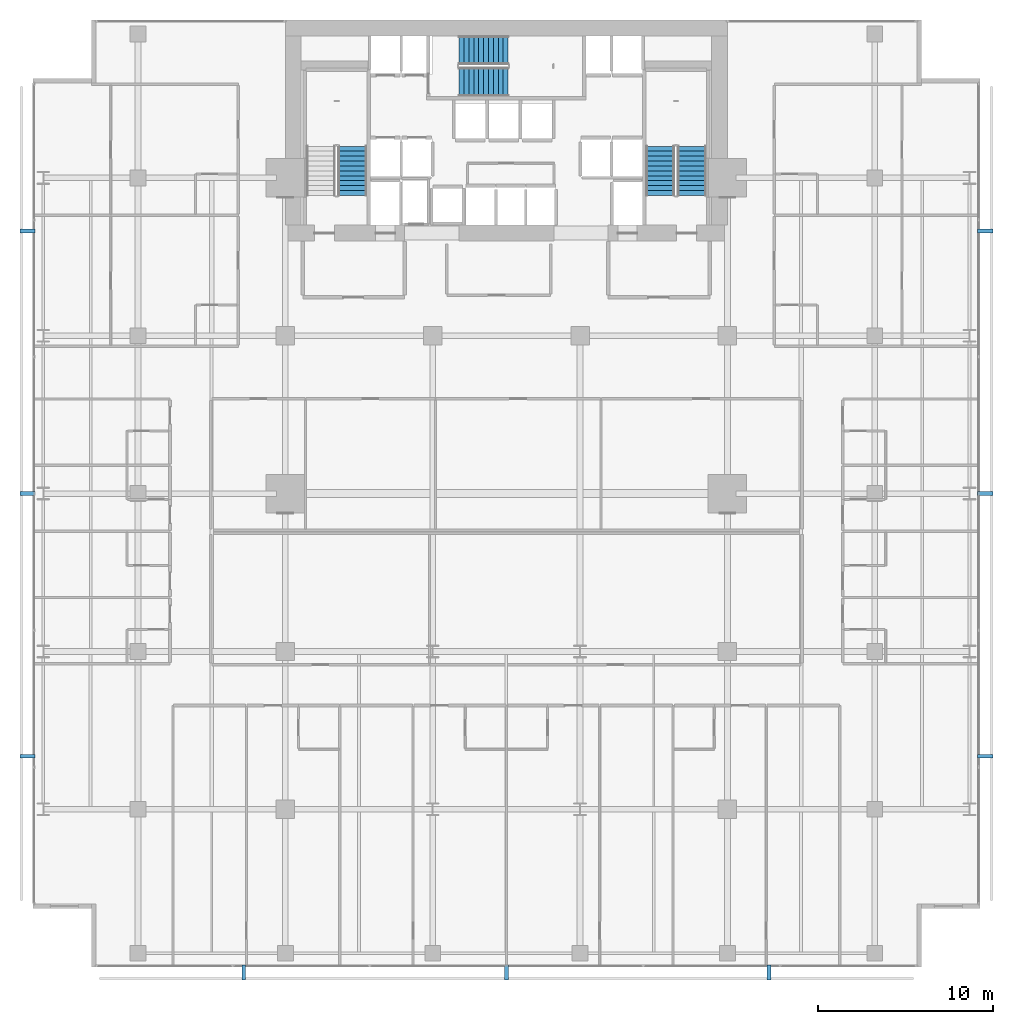
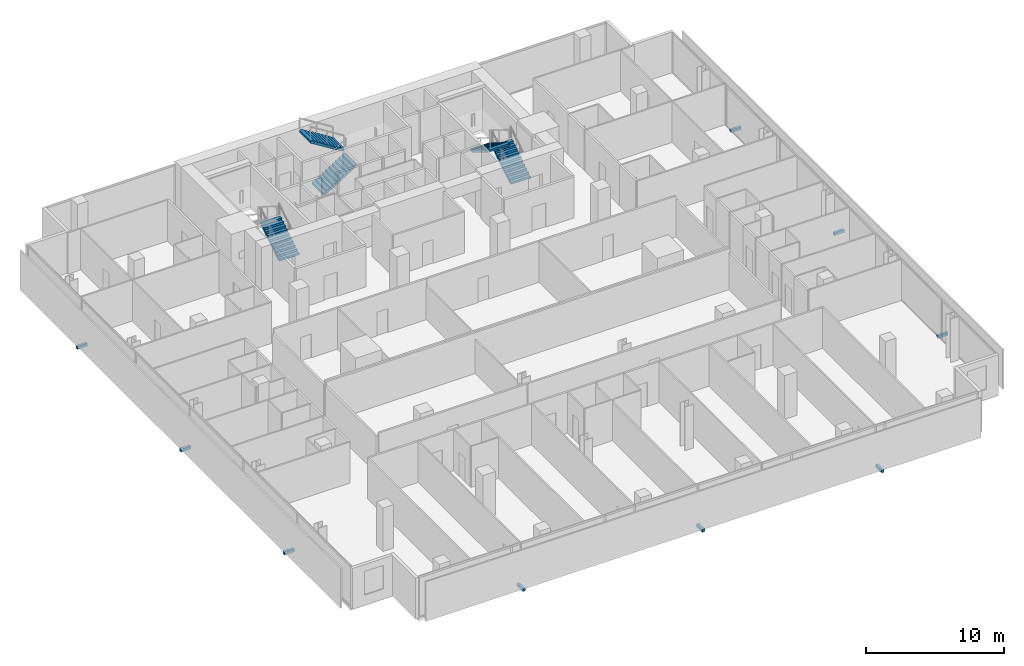
# One storey, part 38 of 40: 9 discrete accessories, 5 stair flights, 3 elements without a shape of their own.
"""IFC4 building model written with IfcOpenShell, lengths in metres."""

import ifcopenshell
import ifcopenshell.guid

model = None  # the IFC model being written
_history = None  # IfcOwnerHistory: only IFC2X3 demands one
_inside = {}  # id of a spatial element -> (the spatial element, [elements in it])
_under = {}  # id of a project, library or spatial element -> (it, [spatial elements below it])
_declared = {}  # id of a project -> (the project, [libraries it declares])
_typed = {}  # id of a type object -> (the type object, [elements of that type])
_made_of = {}  # id of a material, layer set ... -> (it, [elements and type objects made of it])


def new_model(schema):
    """Start an empty IFC model of exactly this schema.

    Asked for "IFC4X3", IfcOpenShell would pick the latest addendum, in which some entities
    have other attributes; the version numbers below select the first issue.
    IFC2X3 requires an IfcOwnerHistory on every rooted entity: one is made here for all.
    """
    global model, _history
    if schema == "IFC4X3":
        model = ifcopenshell.file(schema_version=(4, 3, 0, 0))
    else:
        model = ifcopenshell.file(schema=schema)
    _inside.clear()
    _under.clear()
    _declared.clear()
    _typed.clear()
    _made_of.clear()
    _history = None
    if model.schema == "IFC2X3":
        org = make("IfcOrganization", Name="unknown")
        user = make(
            "IfcPersonAndOrganization",
            ThePerson=make("IfcPerson", FamilyName="unknown"),
            TheOrganization=org,
        )
        app = make(
            "IfcApplication",
            ApplicationDeveloper=org,
            Version="unknown",
            ApplicationFullName="unknown",
            ApplicationIdentifier="unknown",
        )
        _history = make(
            "IfcOwnerHistory",
            OwningUser=user,
            OwningApplication=app,
            ChangeAction="ADDED",
            CreationDate=0,
        )
    return model


def make(cls, **values):
    """One entity of the class cls with the attributes given. An attribute that is None is left unset."""
    return model.create_entity(
        cls, **{name: value for name, value in values.items() if value is not None}
    )


def rooted(cls, **values):
    """An entity with a GlobalId (a new one), such as an element, a storey or a relation."""
    return make(cls, GlobalId=ifcopenshell.guid.new(), OwnerHistory=_history, **values)


def si_unit(unit_type, name, prefix=None):
    """IfcSIUnit, for example si_unit("LENGTHUNIT", "METRE", prefix="MILLI")."""
    return make("IfcSIUnit", UnitType=unit_type, Prefix=prefix, Name=name)


def assignment(units):
    """IfcUnitAssignment: the units of a project."""
    return None if units is None else make("IfcUnitAssignment", Units=units)


def point(xyz):
    """IfcCartesianPoint."""
    return None if xyz is None else make("IfcCartesianPoint", Coordinates=xyz)


def direction(xyz):
    """IfcDirection."""
    return None if xyz is None else make("IfcDirection", DirectionRatios=xyz)


def frame(location, z_axis=None, x_axis=None):
    """IfcAxis2Placement3D, a coordinate frame: its origin and axes. An axis left out is left unset."""
    return make(
        "IfcAxis2Placement3D",
        Location=point(location),
        Axis=direction(z_axis),
        RefDirection=direction(x_axis),
    )


def frame_2d(location, x_axis=None):
    """IfcAxis2Placement2D, a coordinate frame in the plane: its origin and x axis."""
    return make(
        "IfcAxis2Placement2D", Location=point(location), RefDirection=direction(x_axis)
    )


def origin():
    """The frame at (0, 0, 0) with its axes left unset."""
    return frame((0.0, 0.0, 0.0))


def origin_2d():
    """The frame at (0, 0) in the plane with its x axis left unset."""
    return frame_2d((0.0, 0.0))


def place(relative_to, where):
    """IfcLocalPlacement: puts the frame where relative to a parent placement (None: the world)."""
    return make(
        "IfcLocalPlacement", PlacementRelTo=relative_to, RelativePlacement=where
    )


def context(
    kind, dimensions, precision=None, world=None, true_north=None, identifier=None
):
    """IfcGeometricRepresentationContext, for example the 3D "Model" context."""
    return make(
        "IfcGeometricRepresentationContext",
        ContextIdentifier=identifier,
        ContextType=kind,
        CoordinateSpaceDimension=dimensions,
        Precision=precision,
        WorldCoordinateSystem=world,
        TrueNorth=true_north,
    )


def subcontext(parent, identifier, kind, view, scale=None):
    """IfcGeometricRepresentationSubContext, for example "Body" below "Model"."""
    return make(
        "IfcGeometricRepresentationSubContext",
        ContextIdentifier=identifier,
        ContextType=kind,
        ParentContext=parent,
        TargetScale=scale,
        TargetView=view,
    )


def project(units=None, contexts=None):
    """IfcProject with its units and contexts."""
    return rooted(
        "IfcProject",
        Name="project",
        RepresentationContexts=contexts,
        UnitsInContext=assignment(units),
    )


def spatial(cls, under=None, at=None, **own):
    """A site, building, storey or space (cls), placed at a placement, below another one or the project."""
    s = rooted(cls, ObjectPlacement=at, **own)
    if under is not None:
        _under.setdefault(under.id(), (under, []))[1].append(s)
    return s


def polyline(points):
    """IfcPolyline through the points."""
    return make("IfcPolyline", Points=[point(p) for p in points])


def profile(cls, at=None, kind="AREA", **sizes):
    """A parametric profile (cls). Its sizes go by their IFC names, for example OverallWidth=200.0."""
    return make(cls, ProfileType=kind, Position=at, **sizes)


def rectangle(**sizes):
    """IfcRectangleProfileDef."""
    return profile("IfcRectangleProfileDef", **sizes)


def outline(outer, holes=None, kind="AREA"):
    """IfcArbitraryClosedProfileDef: a profile drawn as a closed curve; with holes, ...WithVoids."""
    if holes is None:
        return make("IfcArbitraryClosedProfileDef", ProfileType=kind, OuterCurve=outer)
    return make(
        "IfcArbitraryProfileDefWithVoids",
        ProfileType=kind,
        OuterCurve=outer,
        InnerCurves=holes,
    )


def extrude(swept, where, along, depth):
    """IfcExtrudedAreaSolid: the profile swept, set in the frame where, extruded along a direction by depth."""
    return make(
        "IfcExtrudedAreaSolid",
        SweptArea=swept,
        Position=where,
        ExtrudedDirection=direction(along),
        Depth=depth,
    )


def shape(context_of_items, identifier, shape_type, items):
    """IfcShapeRepresentation: the items that make up one representation, for example the "Body"."""
    return make(
        "IfcShapeRepresentation",
        ContextOfItems=context_of_items,
        RepresentationIdentifier=identifier,
        RepresentationType=shape_type,
        Items=items,
    )


def material(Name=None, Category=None):
    """IfcMaterial."""
    return make("IfcMaterial", Name=Name, Category=Category)


def made_of(thing, what):
    """Note that an element or type object is made of a material, layer set ...; save() writes the relation."""
    if what is not None:
        _made_of.setdefault(what.id(), (what, []))[1].append(thing)
    return thing


def type_object(cls, material=None, **own):
    """A type object (cls), such as IfcWallType, which elements share."""
    return made_of(rooted(cls, **own), material)


def element(
    cls,
    number,
    at=None,
    inside=None,
    cuts=None,
    type_object=None,
    material=None,
    context=None,
    identifier="Body",
    shape_type=None,
    held_by="IfcProductDefinitionShape",
    body=None,
    shapes=None,
    **own,
):
    """One element of the class cls, such as IfcWall. Its Tag is "e" and its number.

    at: its placement. inside: the storey or other place that contains it. cuts: it is an
    opening in that element (IfcRelVoidsElement). A single representation is given by context,
    identifier, shape_type and body (its items); several are given by shapes. held_by: the class
    of the entity that holds the representations. save() writes the other relations.
    """
    e = rooted(cls, Tag="e%d" % number, ObjectPlacement=at, **own)
    if body is not None:
        shapes = [shape(context, identifier, shape_type, body)]
    if shapes is not None:
        e.Representation = make(held_by, Representations=shapes)
    if inside is not None:
        _inside.setdefault(inside.id(), (inside, []))[1].append(e)
    if cuts is not None:
        rooted(
            "IfcRelVoidsElement", RelatingBuildingElement=cuts, RelatedOpeningElement=e
        )
    if type_object is not None:
        _typed.setdefault(type_object.id(), (type_object, []))[1].append(e)
    return made_of(e, material)


def aggregate(whole, parts):
    """IfcRelAggregates: a whole, such as a stair, and the parts it consists of."""
    return rooted("IfcRelAggregates", RelatingObject=whole, RelatedObjects=parts)


def save(model, path):
    """Write the relations noted so far, then the file.

    IfcRelAggregates (storeys below a building ...), IfcRelContainedInSpatialStructure (elements
    in a storey), IfcRelDefinesByType, IfcRelAssociatesMaterial and IfcRelDeclares: one each for
    every whole, place, type object, material and project.
    """
    for whole, parts in _under.values():
        aggregate(whole, parts)
    for where, things in _inside.values():
        rooted(
            "IfcRelContainedInSpatialStructure",
            RelatedElements=things,
            RelatingStructure=where,
        )
    for kind, things in _typed.values():
        rooted("IfcRelDefinesByType", RelatedObjects=things, RelatingType=kind)
    for what, things in _made_of.values():
        rooted("IfcRelAssociatesMaterial", RelatedObjects=things, RelatingMaterial=what)
    for by, libraries in _declared.values():
        rooted("IfcRelDeclares", RelatingContext=by, RelatedDefinitions=libraries)
    model.write(path)


model = new_model("IFC4")

# Units and contexts
model_context = context("Model", 3, precision=1e-05, world=origin(), true_north=direction((0.0, 1.0)))
body_context = subcontext(model_context, "Body", "Model", "MODEL_VIEW")
ifc_project = project(units=[si_unit("LENGTHUNIT", "METRE"), si_unit("AREAUNIT", "SQUARE_METRE"), si_unit("VOLUMEUNIT", "CUBIC_METRE"), si_unit("PLANEANGLEUNIT", "RADIAN"), si_unit("MASSUNIT", "GRAM", prefix="KILO")], contexts=[model_context])

# Site, building, storey
site_placement = place(None, origin())
site = spatial("IfcSite", under=ifc_project, at=site_placement, CompositionType="ELEMENT")
building_placement = place(site_placement, origin())
building = spatial("IfcBuilding", under=site, at=building_placement, Name="Maruvema Waterfront Hotel and Observation Tower", CompositionType="ELEMENT")
storey_placement = place(building_placement, frame((0.0, 0.0, 100.10009765625)))
storey = spatial("IfcBuildingStorey", under=building, at=storey_placement, Name="L24", CompositionType="ELEMENT", Elevation=100.10009765625)

# Stair, stair flight
ifc_material_1 = material(Name="Concrete C50/60", Category="concrete")
stair_type = type_object("IfcStairType", Name="Dogleg Exit Stair 1650 mm (22R x 175.0 mm)", PredefinedType="HALF_TURN_STAIR", material=ifc_material_1)
stair_1_placement = place(storey_placement, origin())
stair_1 = element("IfcStair", 1, at=stair_1_placement, inside=storey, type_object=stair_type, Name="L24 ST-01", PredefinedType="HALF_TURN_STAIR")
ifc_material_2 = material(Name="Concrete C50/60", Category="concrete")
stair_flight_type = type_object("IfcStairFlightType", Name="Reinforced Concrete Stair Flight 1650 mm (11R x 175.0 mm)", PredefinedType="STRAIGHT", material=ifc_material_2)
stair_flight_1_placement = place(storey_placement, frame((29.02490234375, 44.0, 0.0), z_axis=(0.0, 0.0, 1.0), x_axis=(0.0, 1.0, 0.0)))
stair_flight_1 = element("IfcStairFlight", 2, at=stair_flight_1_placement, type_object=stair_flight_type, Name="ST-01 flight 1", NumberOfRisers=11, NumberOfTreads=10, PredefinedType="STRAIGHT", RiserHeight=0.175, TreadLength=0.28, context=body_context, shape_type="SweptSolid", body=[
    extrude(outline(polyline([(0.0, 0.0), (0.0, 0.175048828125), (0.280029296875, 0.175048828125), (0.280029296875, 0.35009765625), (0.56005859375, 0.35009765625), (0.56005859375, 0.52490234375), (0.840087890625, 0.52490234375), (0.840087890625, 0.699951171875), (1.1201171875, 0.699951171875), (1.1201171875, 0.875), (1.39990234375, 0.875), (1.39990234375, 1.050048828125), (1.679931640625, 1.050048828125), (1.679931640625, 1.22509765625), (1.9599609375, 1.22509765625), (1.9599609375, 1.39990234375), (2.239990234375, 1.39990234375), (2.239990234375, 1.574951171875), (2.52001953125, 1.574951171875), (2.52001953125, 1.75), (2.800048828125, 1.75), (2.800048828125, 1.925048828125), (2.800048828125, 1.5732421875), (0.28271484375, 0.0), (0.0, 0.0)])), frame((0.0, 0.824951171875, 0.0), z_axis=(0.0, -1.0, 0.0), x_axis=(1.0, 0.0, 0.0)), (0.0, 0.0, 1.0), 1.64990234375),
])
aggregate(stair_1, [stair_flight_1])

# Stair, stair flights
stair_2_placement = place(storey_placement, origin())
stair_2 = element("IfcStair", 3, at=stair_2_placement, inside=storey, type_object=stair_type, Name="L24 ST-02", PredefinedType="HALF_TURN_STAIR")
stair_flight_2_placement = place(storey_placement, frame((35.10009765625, 50.47509765625, 0.0), z_axis=(0.0, 0.0, 1.0), x_axis=(1.0, 0.0, 0.0)))
stair_flight_2 = element("IfcStairFlight", 4, at=stair_flight_2_placement, type_object=stair_flight_type, Name="ST-02 flight 1", NumberOfRisers=11, NumberOfTreads=10, PredefinedType="STRAIGHT", RiserHeight=0.175, TreadLength=0.28, context=body_context, shape_type="SweptSolid", body=[
    extrude(outline(polyline([(0.0, 0.0), (0.0, 0.175048828125), (0.280029296875, 0.175048828125), (0.280029296875, 0.35009765625), (0.56005859375, 0.35009765625), (0.56005859375, 0.52490234375), (0.840087890625, 0.52490234375), (0.840087890625, 0.699951171875), (1.1201171875, 0.699951171875), (1.1201171875, 0.875), (1.39990234375, 0.875), (1.39990234375, 1.050048828125), (1.679931640625, 1.050048828125), (1.679931640625, 1.22509765625), (1.9599609375, 1.22509765625), (1.9599609375, 1.39990234375), (2.239990234375, 1.39990234375), (2.239990234375, 1.574951171875), (2.52001953125, 1.574951171875), (2.52001953125, 1.75), (2.800048828125, 1.75), (2.800048828125, 1.925048828125), (2.800048828125, 1.5732421875), (0.28271484375, 0.0), (0.0, 0.0)])), frame((0.0, 0.824951171875, 0.0), z_axis=(0.0, -1.0, 0.0), x_axis=(1.0, 0.0, 0.0)), (0.0, 0.0, 1.0), 1.64990234375),
])
stair_flight_3_placement = place(storey_placement, frame((37.89990234375, 52.27490234375, 1.9248046875), z_axis=(0.0, 0.0, 1.0), x_axis=(-1.0, 0.0, 0.0)))
stair_flight_3 = element("IfcStairFlight", 5, at=stair_flight_3_placement, type_object=stair_flight_type, Name="ST-02 flight 2", NumberOfRisers=11, NumberOfTreads=10, PredefinedType="STRAIGHT", RiserHeight=0.175, TreadLength=0.28, context=body_context, shape_type="SweptSolid", body=[
    extrude(outline(polyline([(0.0, 0.0), (0.0, 0.175048828125), (0.280029296875, 0.175048828125), (0.280029296875, 0.35009765625), (0.56005859375, 0.35009765625), (0.56005859375, 0.52490234375), (0.840087890625, 0.52490234375), (0.840087890625, 0.699951171875), (1.1201171875, 0.699951171875), (1.1201171875, 0.875), (1.39990234375, 0.875), (1.39990234375, 1.050048828125), (1.679931640625, 1.050048828125), (1.679931640625, 1.22509765625), (1.9599609375, 1.22509765625), (1.9599609375, 1.39990234375), (2.239990234375, 1.39990234375), (2.239990234375, 1.574951171875), (2.52001953125, 1.574951171875), (2.52001953125, 1.75), (2.800048828125, 1.75), (2.800048828125, 1.925048828125), (2.800048828125, 1.5732421875), (0.28271484375, 0.0), (0.0, 0.0)])), frame((0.0, 0.824951171875, 0.0), z_axis=(0.0, -1.0, 0.0), x_axis=(1.0, 0.0, 0.0)), (0.0, 0.0, 1.0), 1.64990234375),
])
aggregate(stair_2, [stair_flight_2, stair_flight_3])

stair_3_placement = place(storey_placement, origin())
stair_3 = element("IfcStair", 6, at=stair_3_placement, inside=storey, type_object=stair_type, Name="L24 ST-03", PredefinedType="HALF_TURN_STAIR")
stair_flight_4_placement = place(storey_placement, frame((48.375, 44.0, 0.0), z_axis=(0.0, 0.0, 1.0), x_axis=(0.0, 1.0, 0.0)))
stair_flight_4 = element("IfcStairFlight", 7, at=stair_flight_4_placement, type_object=stair_flight_type, Name="ST-03 flight 1", NumberOfRisers=11, NumberOfTreads=10, PredefinedType="STRAIGHT", RiserHeight=0.175, TreadLength=0.28, context=body_context, shape_type="SweptSolid", body=[
    extrude(outline(polyline([(0.0, 0.0), (0.0, 0.175048828125), (0.280029296875, 0.175048828125), (0.280029296875, 0.35009765625), (0.56005859375, 0.35009765625), (0.56005859375, 0.52490234375), (0.840087890625, 0.52490234375), (0.840087890625, 0.699951171875), (1.1201171875, 0.699951171875), (1.1201171875, 0.875), (1.39990234375, 0.875), (1.39990234375, 1.050048828125), (1.679931640625, 1.050048828125), (1.679931640625, 1.22509765625), (1.9599609375, 1.22509765625), (1.9599609375, 1.39990234375), (2.239990234375, 1.39990234375), (2.239990234375, 1.574951171875), (2.52001953125, 1.574951171875), (2.52001953125, 1.75), (2.800048828125, 1.75), (2.800048828125, 1.925048828125), (2.800048828125, 1.5732421875), (0.28271484375, 0.0), (0.0, 0.0)])), frame((0.0, 0.824951171875, 0.0), z_axis=(0.0, -1.0, 0.0), x_axis=(1.0, 0.0, 0.0)), (0.0, 0.0, 1.0), 1.64990234375),
])
stair_flight_5_placement = place(storey_placement, frame((46.574951171875, 46.800048828125, 1.9248046875), z_axis=(0.0, 0.0, 1.0), x_axis=(0.0, -1.0, 0.0)))
stair_flight_5 = element("IfcStairFlight", 8, at=stair_flight_5_placement, type_object=stair_flight_type, Name="ST-03 flight 2", NumberOfRisers=11, NumberOfTreads=10, PredefinedType="STRAIGHT", RiserHeight=0.175, TreadLength=0.28, context=body_context, shape_type="SweptSolid", body=[
    extrude(outline(polyline([(0.0, 0.0), (0.0, 0.175048828125), (0.280029296875, 0.175048828125), (0.280029296875, 0.35009765625), (0.56005859375, 0.35009765625), (0.56005859375, 0.52490234375), (0.840087890625, 0.52490234375), (0.840087890625, 0.699951171875), (1.1201171875, 0.699951171875), (1.1201171875, 0.875), (1.39990234375, 0.875), (1.39990234375, 1.050048828125), (1.679931640625, 1.050048828125), (1.679931640625, 1.22509765625), (1.9599609375, 1.22509765625), (1.9599609375, 1.39990234375), (2.239990234375, 1.39990234375), (2.239990234375, 1.574951171875), (2.52001953125, 1.574951171875), (2.52001953125, 1.75), (2.800048828125, 1.75), (2.800048828125, 1.925048828125), (2.800048828125, 1.5732421875), (0.28271484375, 0.0), (0.0, 0.0)])), frame((0.0, 0.824951171875, 0.0), z_axis=(0.0, -1.0, 0.0), x_axis=(1.0, 0.0, 0.0)), (0.0, 0.0, 1.0), 1.64990234375),
])
aggregate(stair_3, [stair_flight_4, stair_flight_5])

# Discrete accessories
ifc_material_3 = material(Name="Duplex stainless steel Grade 2205", Category="steel")
discrete_accessory_type = type_object("IfcDiscreteAccessoryType", Name="Double-Skin Cavity Stainless Outrigger Bracket", PredefinedType="BRACKET", material=ifc_material_3)
for number, where, z_axis, x_axis, name in (
    (9, (22.823974609375, -0.300048828125, -0.14013671875), (0.0, 0.0, 1.0), (1.0, 0.0, 0.0), "L24 Outer Skin Support Bracket 1"),
    (10, (37.800048828125, -0.300048828125, -0.14013671875), (0.0, 0.0, 1.0), (1.0, 0.0, 0.0), "L24 Outer Skin Support Bracket 2"),
    (11, (52.77587890625, -0.300048828125, -0.14013671875), (0.0, 0.0, 1.0), (1.0, 0.0, 0.0), "L24 Outer Skin Support Bracket 3"),
    (12, (65.10009765625, 12.02392578125, -0.14013671875), (0.0, 0.0, 1.0), (0.0, 1.0, 0.0), "L24 Outer Skin Support Bracket 1"),
    (13, (65.10009765625, 27.0, -0.14013671875), (0.0, 0.0, 1.0), (0.0, 1.0, 0.0), "L24 Outer Skin Support Bracket 2"),
    (14, (65.10009765625, 41.97607421875, -0.14013671875), (0.0, 0.0, 1.0), (0.0, 1.0, 0.0), "L24 Outer Skin Support Bracket 3"),
    (15, (10.5, 41.97607421875, -0.14013671875), (0.0, 0.0, 1.0), (0.0, -1.0, 0.0), "L24 Outer Skin Support Bracket 1"),
    (16, (10.5, 27.0, -0.14013671875), (0.0, 0.0, 1.0), (0.0, -1.0, 0.0), "L24 Outer Skin Support Bracket 2"),
    (17, (10.5, 12.02392578125, -0.14013671875), (0.0, 0.0, 1.0), (0.0, -1.0, 0.0), "L24 Outer Skin Support Bracket 3"),
):
    element("IfcDiscreteAccessory", number, at=place(storey_placement, frame(where, z_axis=z_axis, x_axis=x_axis)), inside=storey, type_object=discrete_accessory_type, Name=name, PredefinedType="BRACKET", context=body_context, shape_type="SweptSolid", body=[
        extrude(rectangle(XDim=0.219970703125, YDim=0.860107421875, at=origin_2d()), origin(), (0.0, 0.0, 1.0), 0.239990234375),
    ])

save(model, "model.ifc")
